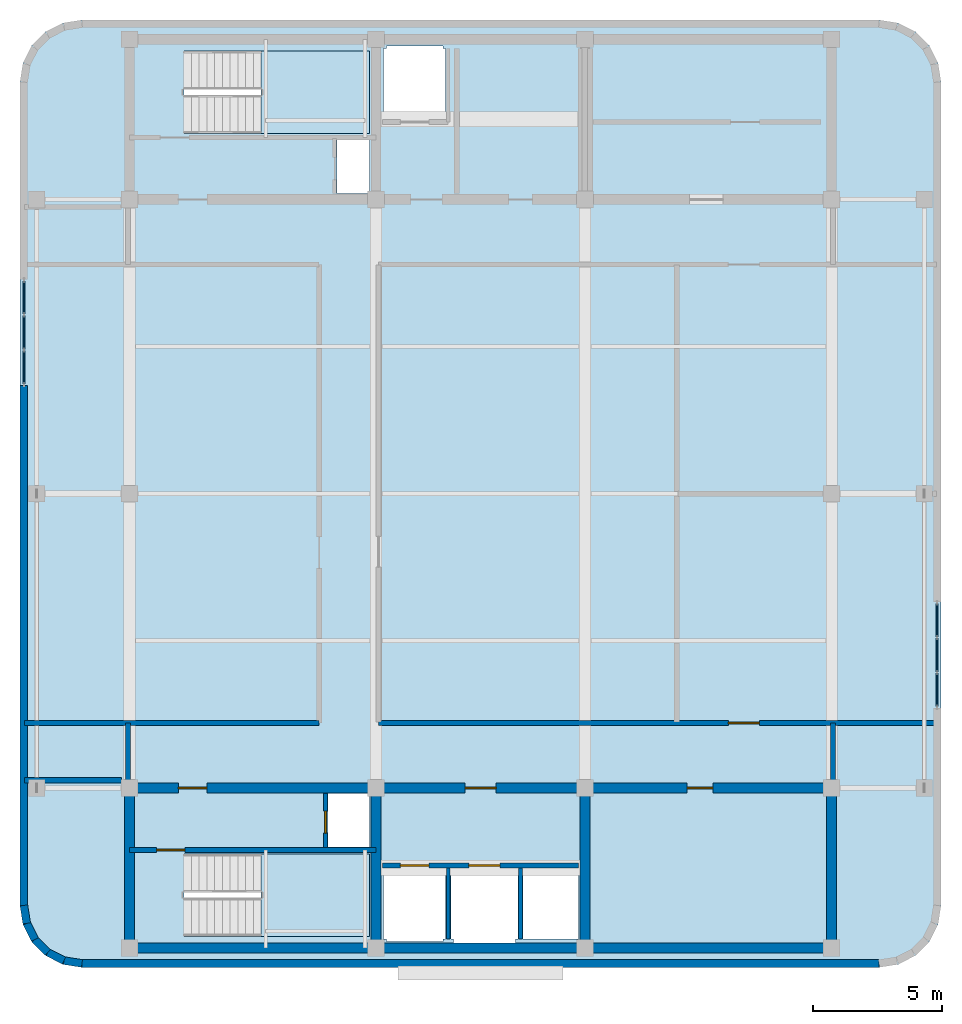
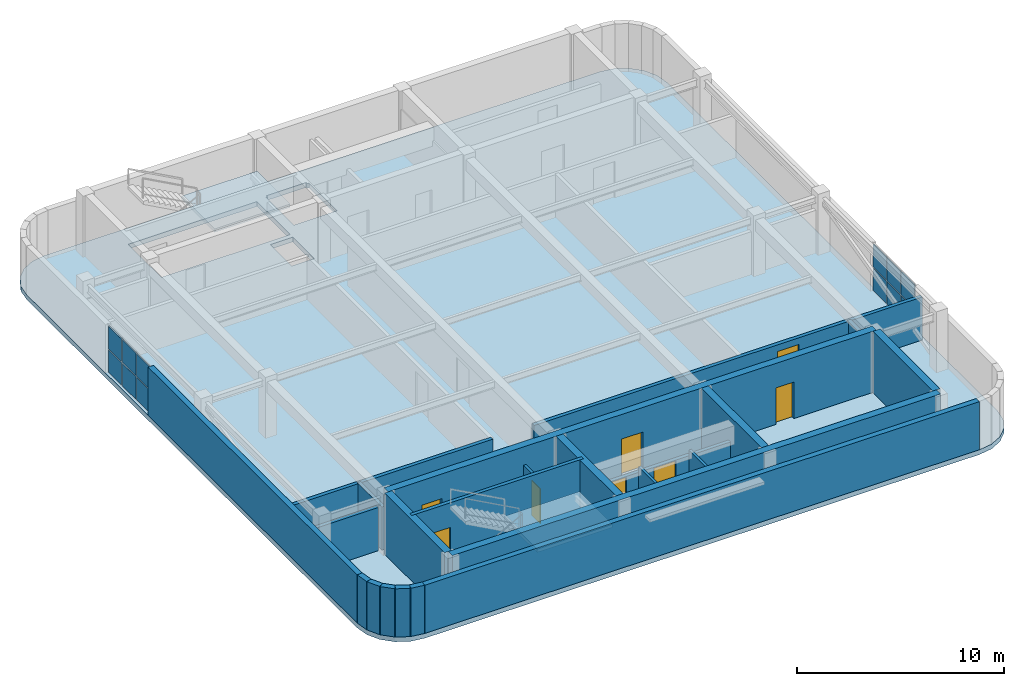
# One storey, part 4 of 9: 23 walls, 12 plates, 8 doors, 3 slabs, 8 openings, 4 elements without a shape of their own.
"""IFC4 building model written with IfcOpenShell, lengths in metres."""

from ifc_helpers import new_model, si_unit, direction, frame, frame_2d, origin, origin_2d, place, context, subcontext, project, spatial, polyline, rectangle, outline, extrude, material, layer, layer_set, type_object, element, fill, aggregate, save


model = new_model("IFC4")

# Units and contexts
model_context = context("Model", 3, precision=1e-05, world=origin(), true_north=direction((0.0, 1.0)))
body_context = subcontext(model_context, "Body", "Model", "MODEL_VIEW")
ifc_project = project(units=[si_unit("LENGTHUNIT", "METRE"), si_unit("AREAUNIT", "SQUARE_METRE"), si_unit("VOLUMEUNIT", "CUBIC_METRE"), si_unit("PLANEANGLEUNIT", "RADIAN"), si_unit("MASSUNIT", "GRAM", prefix="KILO")], contexts=[model_context])

# Site, building, storey
site_placement = place(None, origin())
site = spatial("IfcSite", under=ifc_project, at=site_placement, CompositionType="ELEMENT")
building_placement = place(site_placement, origin())
building = spatial("IfcBuilding", under=site, at=building_placement, Name="Svetorya Sky Lyceum", CompositionType="ELEMENT")
storey_placement = place(building_placement, frame((0.0, 0.0, 305.60009765625)))
storey = spatial("IfcBuildingStorey", under=building, at=storey_placement, Name="C02", CompositionType="ELEMENT", Elevation=305.60009765625)

# Curtain wall, plates
ifc_material_1 = material(Name="Thermally broken anodized aluminium and triple low-E glass", Category="aluminium")
curtain_wall_type = type_object("IfcCurtainWallType", Name="CW5-LVR-PLT", PredefinedType="NOTDEFINED", material=ifc_material_1)
curtain_wall_1_placement = place(storey_placement, origin())
curtain_wall_1 = element("IfcCurtainWall", 1, at=curtain_wall_1_placement, inside=storey, type_object=curtain_wall_type, Name="C02 Acoustic Plant Louvre Curtain Wall 12", PredefinedType="NOTDEFINED")
ifc_material_2 = material(Name="Powder-coated extruded aluminium acoustic louvre blade", Category="aluminium")
ifc_layer_1 = layer(ifc_material_2, 0.06494140625)
ifc_layer_set_1 = layer_set([ifc_layer_1], Name="Powder-coated extruded aluminium acoustic louvre blade")
plate_type = type_object("IfcPlateType", Name="CWP-LVR-65", PredefinedType="SHEET", material=ifc_layer_set_1)
plate_1_placement = place(storey_placement, frame((56.889892578125, 20.599609375, 0.0634765625), z_axis=(0.0, 0.0, 1.0), x_axis=(0.0, 1.0, 0.0)))
plate_1 = element("IfcPlate", 2, at=plate_1_placement, type_object=plate_type, Name="CW-5 panel 1.1", PredefinedType="SHEET", context=body_context, shape_type="SweptSolid", body=[
    extrude(rectangle(XDim=1.272216796875, YDim=0.06494140625, at=origin_2d()), origin(), (0.0, 0.0, 1.0), 1.325439453125),
])
plate_2_placement = place(storey_placement, frame((56.889892578125, 20.599609375, 1.451171875), z_axis=(0.0, 0.0, 1.0), x_axis=(0.0, 1.0, 0.0)))
plate_2 = element("IfcPlate", 3, at=plate_2_placement, type_object=plate_type, Name="CW-5 panel 1.2", PredefinedType="SHEET", context=body_context, shape_type="SweptSolid", body=[
    extrude(rectangle(XDim=1.272216796875, YDim=0.06494140625, at=origin_2d()), origin(), (0.0, 0.0, 1.0), 1.325439453125),
])
plate_3_placement = place(storey_placement, frame((56.889892578125, 21.949951171875, 0.0634765625), z_axis=(0.0, 0.0, 1.0), x_axis=(0.0, 1.0, 0.0)))
plate_3 = element("IfcPlate", 4, at=plate_3_placement, type_object=plate_type, Name="CW-5 panel 2.1", PredefinedType="SHEET", context=body_context, shape_type="SweptSolid", body=[
    extrude(rectangle(XDim=1.3046875, YDim=0.06494140625, at=origin_2d()), origin(), (0.0, 0.0, 1.0), 1.325439453125),
])
plate_4_placement = place(storey_placement, frame((56.889892578125, 21.949951171875, 1.451171875), z_axis=(0.0, 0.0, 1.0), x_axis=(0.0, 1.0, 0.0)))
plate_4 = element("IfcPlate", 5, at=plate_4_placement, type_object=plate_type, Name="CW-5 panel 2.2", PredefinedType="SHEET", context=body_context, shape_type="SweptSolid", body=[
    extrude(rectangle(XDim=1.3046875, YDim=0.06494140625, at=origin_2d()), origin(), (0.0, 0.0, 1.0), 1.325439453125),
])
plate_5_placement = place(storey_placement, frame((56.889892578125, 23.300537109375, 0.0634765625), z_axis=(0.0, 0.0, 1.0), x_axis=(0.0, 1.0, 0.0)))
plate_5 = element("IfcPlate", 6, at=plate_5_placement, type_object=plate_type, Name="CW-5 panel 3.1", PredefinedType="SHEET", context=body_context, shape_type="SweptSolid", body=[
    extrude(rectangle(XDim=1.272216796875, YDim=0.06494140625, at=origin_2d()), origin(), (0.0, 0.0, 1.0), 1.325439453125),
])
plate_6_placement = place(storey_placement, frame((56.889892578125, 23.300537109375, 1.451171875), z_axis=(0.0, 0.0, 1.0), x_axis=(0.0, 1.0, 0.0)))
plate_6 = element("IfcPlate", 7, at=plate_6_placement, type_object=plate_type, Name="CW-5 panel 3.2", PredefinedType="SHEET", context=body_context, shape_type="SweptSolid", body=[
    extrude(rectangle(XDim=1.272216796875, YDim=0.06494140625, at=origin_2d()), origin(), (0.0, 0.0, 1.0), 1.325439453125),
])
aggregate(curtain_wall_1, [plate_1, plate_2, plate_3, plate_4, plate_5, plate_6])

curtain_wall_2_placement = place(storey_placement, origin())
curtain_wall_2 = element("IfcCurtainWall", 8, at=curtain_wall_2_placement, inside=storey, type_object=curtain_wall_type, Name="C02 Acoustic Plant Louvre Curtain Wall 24", PredefinedType="NOTDEFINED")
plate_7_placement = place(storey_placement, frame((21.510009765625, 35.800537109375, 0.0634765625), z_axis=(0.0, 0.0, 1.0), x_axis=(0.0, -1.0, 0.0)))
plate_7 = element("IfcPlate", 9, at=plate_7_placement, type_object=plate_type, Name="CW-5 panel 1.1", PredefinedType="SHEET", context=body_context, shape_type="SweptSolid", body=[
    extrude(rectangle(XDim=1.272216796875, YDim=0.06494140625, at=origin_2d()), origin(), (0.0, 0.0, 1.0), 1.325439453125),
])
plate_8_placement = place(storey_placement, frame((21.510009765625, 35.800537109375, 1.451171875), z_axis=(0.0, 0.0, 1.0), x_axis=(0.0, -1.0, 0.0)))
plate_8 = element("IfcPlate", 10, at=plate_8_placement, type_object=plate_type, Name="CW-5 panel 1.2", PredefinedType="SHEET", context=body_context, shape_type="SweptSolid", body=[
    extrude(rectangle(XDim=1.272216796875, YDim=0.06494140625, at=origin_2d()), origin(), (0.0, 0.0, 1.0), 1.325439453125),
])
plate_9_placement = place(storey_placement, frame((21.510009765625, 34.449951171875, 0.0634765625), z_axis=(0.0, 0.0, 1.0), x_axis=(0.0, -1.0, 0.0)))
plate_9 = element("IfcPlate", 11, at=plate_9_placement, type_object=plate_type, Name="CW-5 panel 2.1", PredefinedType="SHEET", context=body_context, shape_type="SweptSolid", body=[
    extrude(rectangle(XDim=1.3046875, YDim=0.06494140625, at=origin_2d()), origin(), (0.0, 0.0, 1.0), 1.325439453125),
])
plate_10_placement = place(storey_placement, frame((21.510009765625, 34.449951171875, 1.451171875), z_axis=(0.0, 0.0, 1.0), x_axis=(0.0, -1.0, 0.0)))
plate_10 = element("IfcPlate", 12, at=plate_10_placement, type_object=plate_type, Name="CW-5 panel 2.2", PredefinedType="SHEET", context=body_context, shape_type="SweptSolid", body=[
    extrude(rectangle(XDim=1.3046875, YDim=0.06494140625, at=origin_2d()), origin(), (0.0, 0.0, 1.0), 1.325439453125),
])
plate_11_placement = place(storey_placement, frame((21.510009765625, 33.099609375, 0.0634765625), z_axis=(0.0, 0.0, 1.0), x_axis=(0.0, -1.0, 0.0)))
plate_11 = element("IfcPlate", 13, at=plate_11_placement, type_object=plate_type, Name="CW-5 panel 3.1", PredefinedType="SHEET", context=body_context, shape_type="SweptSolid", body=[
    extrude(rectangle(XDim=1.272216796875, YDim=0.06494140625, at=origin_2d()), origin(), (0.0, 0.0, 1.0), 1.325439453125),
])
plate_12_placement = place(storey_placement, frame((21.510009765625, 33.099609375, 1.451171875), z_axis=(0.0, 0.0, 1.0), x_axis=(0.0, -1.0, 0.0)))
plate_12 = element("IfcPlate", 14, at=plate_12_placement, type_object=plate_type, Name="CW-5 panel 3.2", PredefinedType="SHEET", context=body_context, shape_type="SweptSolid", body=[
    extrude(rectangle(XDim=1.272216796875, YDim=0.06494140625, at=origin_2d()), origin(), (0.0, 0.0, 1.0), 1.325439453125),
])
aggregate(curtain_wall_2, [plate_7, plate_8, plate_9, plate_10, plate_11, plate_12])

# Stair, slab
ifc_material_3 = material(Name="Concrete C40/50", Category="concrete")
stair_type_1 = type_object("IfcStairType", Name="STR-ST-S", PredefinedType="HALF_TURN_STAIR", material=ifc_material_3)
stair_1_placement = place(storey_placement, origin())
stair_1 = element("IfcStair", 15, at=stair_1_placement, inside=storey, type_object=stair_type_1, Name="C02 South Core Smoke-Free Exit Stair N2", PredefinedType="HALF_TURN_STAIR")
ifc_layer_2 = layer(ifc_material_3, 0.199951171875)
ifc_layer_set_2 = layer_set([ifc_layer_2], Name="Concrete C40/50")
slab_type_1 = type_object("IfcSlabType", Name="SL-STR-LAND-200", PredefinedType="LANDING", material=ifc_layer_set_2)
slab_1_placement = place(storey_placement, frame((0.0, 0.0, 1.599853515625)))
slab_1 = element("IfcSlab", 16, at=slab_1_placement, type_object=slab_type_1, Name="ST-S landing 1", PredefinedType="LANDING", context=body_context, shape_type="SweptSolid", body=[
    extrude(outline(polyline([(30.699951171875, 11.050048828125), (34.89990234375, 11.050048828125), (34.89990234375, 14.25), (30.699951171875, 14.25), (30.699951171875, 11.050048828125)])), origin(), (0.0, 0.0, 1.0), 0.199951171875),
])
aggregate(stair_1, [slab_1])

stair_type_2 = type_object("IfcStairType", Name="STR-ST-N", PredefinedType="HALF_TURN_STAIR", material=ifc_material_3)
stair_2_placement = place(storey_placement, origin())
stair_2 = element("IfcStair", 17, at=stair_2_placement, inside=storey, type_object=stair_type_2, Name="C02 North Core Smoke-Free Exit Stair N3", PredefinedType="HALF_TURN_STAIR")
slab_2_placement = place(storey_placement, frame((0.0, 0.0, 1.599853515625)))
slab_2 = element("IfcSlab", 18, at=slab_2_placement, type_object=slab_type_1, Name="ST-N landing 1", PredefinedType="LANDING", context=body_context, shape_type="SweptSolid", body=[
    extrude(outline(polyline([(30.699951171875, 42.14990234375), (34.89990234375, 42.14990234375), (34.89990234375, 45.35009765625), (30.699951171875, 45.35009765625), (30.699951171875, 42.14990234375)])), origin(), (0.0, 0.0, 1.0), 0.199951171875),
])
aggregate(stair_2, [slab_2])

# Slab
ifc_material_4 = material(Name="Concrete C50/60", Category="concrete")
ifc_layer_3 = layer(ifc_material_4, 0.280029296875)
ifc_layer_set_3 = layer_set([ifc_layer_3], Name="Concrete C50/60")
slab_type_2 = type_object("IfcSlabType", Name="SL-TWR-280", PredefinedType="FLOOR", material=ifc_layer_set_3)
slab_3_placement = place(storey_placement, frame((0.0, 0.0, -0.280029296875)))
element("IfcSlab", 19, at=slab_3_placement, inside=storey, type_object=slab_type_2, Name="C02 Structural Floor Slab", PredefinedType="FLOOR", context=body_context, shape_type="SweptSolid", body=[
    extrude(outline(polyline([(21.360107421875, 12.25), (21.4775390625, 11.50830078125), (21.818359375, 10.83935546875), (22.349365234375, 10.308349609375), (23.018310546875, 9.967529296875), (23.760009765625, 9.85009765625), (54.639892578125, 9.85009765625), (55.381591796875, 9.967529296875), (56.05078125, 10.308349609375), (56.58154296875, 10.83935546875), (56.922607421875, 11.50830078125), (57.0400390625, 12.25), (57.0400390625, 44.14990234375), (56.922607421875, 44.8916015625), (56.58154296875, 45.560791015625), (56.05078125, 46.091552734375), (55.381591796875, 46.4326171875), (54.639892578125, 46.550048828125), (23.760009765625, 46.550048828125), (23.018310546875, 46.4326171875), (22.349365234375, 46.091552734375), (21.818359375, 45.560791015625), (21.4775390625, 44.8916015625), (21.360107421875, 44.14990234375), (21.360107421875, 12.25)]), holes=[polyline([(37.75, 10.85009765625), (35.550048828125, 10.85009765625), (35.550048828125, 10.949951171875), (35.449951171875, 10.949951171875), (35.449951171875, 13.64990234375), (35.550048828125, 13.64990234375), (37.75, 13.64990234375), (37.85009765625, 13.64990234375), (37.85009765625, 10.949951171875), (37.75, 10.949951171875), (37.75, 10.85009765625)]), polyline([(34.89990234375, 11.050048828125), (27.719970703125, 11.050048828125), (27.719970703125, 14.25), (34.89990234375, 14.25), (34.89990234375, 11.050048828125)]), polyline([(34.89990234375, 14.52001953125), (33.300048828125, 14.52001953125), (33.300048828125, 16.580078125), (34.89990234375, 16.580078125), (34.89990234375, 14.52001953125)]), polyline([(33.64990234375, 39.820068359375), (33.64990234375, 41.89990234375), (34.89990234375, 41.89990234375), (34.89990234375, 39.820068359375), (33.64990234375, 39.820068359375)]), polyline([(27.719970703125, 42.14990234375), (27.719970703125, 45.35009765625), (34.89990234375, 45.35009765625), (34.89990234375, 42.14990234375), (27.719970703125, 42.14990234375)]), polyline([(37.75, 45.449951171875), (37.85009765625, 45.449951171875), (37.85009765625, 42.75), (37.75, 42.75), (35.550048828125, 42.75), (35.449951171875, 42.75), (35.449951171875, 45.449951171875), (35.550048828125, 45.449951171875), (35.550048828125, 45.550048828125), (37.75, 45.550048828125), (37.75, 45.449951171875)]), polyline([(40.64990234375, 13.64990234375), (40.64990234375, 10.949951171875), (40.550048828125, 10.949951171875), (40.550048828125, 10.800048828125), (38.14990234375, 10.800048828125), (38.14990234375, 10.949951171875), (38.050048828125, 10.949951171875), (38.050048828125, 13.64990234375), (38.14990234375, 13.64990234375), (38.14990234375, 13.699951171875), (40.550048828125, 13.699951171875), (40.550048828125, 13.64990234375), (40.64990234375, 13.64990234375)]), polyline([(40.85009765625, 10.949951171875), (40.85009765625, 13.64990234375), (43.0, 13.64990234375), (43.0, 10.949951171875), (40.85009765625, 10.949951171875)])]), origin(), (0.0, 0.0, 1.0), 0.280029296875),
])

# Walls
ifc_layer_4 = layer(ifc_material_3, 0.39990234375)
ifc_layer_set_4 = layer_set([ifc_layer_4], Name="Concrete C40/50")
wall_type_1 = type_object("IfcWallType", Name="WL-CORE-400", PredefinedType="SHEAR", material=ifc_layer_set_4)
wall_1_placement = place(storey_placement, frame((52.800048828125, 10.60009765625, 0.0), z_axis=(0.0, 0.0, 1.0), x_axis=(-1.0, 0.0, 0.0)))
element("IfcWall", 20, at=wall_1_placement, inside=storey, type_object=wall_type_1, Name="C02 SC Outer Core Shear Wall", PredefinedType="SHEAR", context=body_context, shape_type="SweptSolid", body=[
    extrude(rectangle(XDim=27.199951171875, YDim=0.39990234375, at=frame_2d((13.60009765625, 0.0))), origin(), (0.0, 0.0, 1.0), 3.599853515625),
])
for number, where, z_axis, x_axis, name in (
    (21, (25.60009765625, 10.800048828125, 0.0), (0.0, 0.0, 1.0), (0.0, 1.0, 0.0), "C02 SC West Core Shear Wall"),
    (22, (52.800048828125, 10.800048828125, 0.0), (0.0, 0.0, 1.0), (0.0, 1.0, 0.0), "C02 SC East Core Shear Wall"),
):
    element("IfcWall", number, at=place(storey_placement, frame(where, z_axis=z_axis, x_axis=x_axis)), inside=storey, type_object=wall_type_1, Name=name, PredefinedType="SHEAR", context=body_context, shape_type="SweptSolid", body=[
        extrude(rectangle(XDim=5.800048828125, YDim=0.39990234375, at=frame_2d((2.89990234375, 0.0))), origin(), (0.0, 0.0, 1.0), 3.599853515625),
    ])

# Wall, openings, doors
wall_2_placement = place(storey_placement, frame((25.60009765625, 16.800048828125, 0.0), z_axis=(0.0, 0.0, 1.0), x_axis=(1.0, 0.0, 0.0)))
wall_2 = element("IfcWall", 23, at=wall_2_placement, inside=storey, type_object=wall_type_1, Name="C02 SC Inner Core Shear Wall", PredefinedType="SHEAR", context=body_context, shape_type="SweptSolid", body=[
    extrude(rectangle(XDim=27.199951171875, YDim=0.39990234375, at=frame_2d((13.60009765625, 0.0))), origin(), (0.0, 0.0, 1.0), 3.599853515625),
])
opening_1_placement = place(wall_2_placement, frame((1.89990234375, 0.0, 0.0)))
opening_1 = element("IfcOpeningElement", 24, at=opening_1_placement, cuts=wall_2, Name="Opening D-ST1", PredefinedType="OPENING", context=body_context, shape_type="SweptSolid", body=[
    extrude(rectangle(XDim=1.10009765625, YDim=2.14990234375, at=frame_2d((0.550048828125, 1.074951171875))), frame((0.0, 0.2099609375, 0.0), z_axis=(0.0, -1.0, 0.0), x_axis=(1.0, 0.0, 0.0)), (0.0, 0.0, 1.0), 0.419921875),
])
opening_2_placement = place(wall_2_placement, frame((13.0, 0.0, 0.0)))
opening_2 = element("IfcOpeningElement", 25, at=opening_2_placement, cuts=wall_2, Name="Opening D-FL1", PredefinedType="OPENING", context=body_context, shape_type="SweptSolid", body=[
    extrude(rectangle(XDim=1.199951171875, YDim=2.14990234375, at=frame_2d((0.60009765625, 1.074951171875))), frame((0.0, 0.2099609375, 0.0), z_axis=(0.0, -1.0, 0.0), x_axis=(1.0, 0.0, 0.0)), (0.0, 0.0, 1.0), 0.419921875),
])
opening_3_placement = place(wall_2_placement, frame((21.60009765625, 0.0, 0.0)))
opening_3 = element("IfcOpeningElement", 26, at=opening_3_placement, cuts=wall_2, Name="Opening D-RM2", PredefinedType="OPENING", context=body_context, shape_type="SweptSolid", body=[
    extrude(rectangle(XDim=1.0, YDim=2.14990234375, at=frame_2d((0.5, 1.074951171875))), frame((0.0, 0.2099609375, 0.0), z_axis=(0.0, -1.0, 0.0), x_axis=(1.0, 0.0, 0.0)), (0.0, 0.0, 1.0), 0.419921875),
])
ifc_material_5 = material(Name="Powder-coated insulated galvanized stair fire door")
door_type_1 = type_object("IfcDoorType", Name="DR-FIRE-1100", OperationType="SINGLE_SWING_LEFT", PredefinedType="DOOR", material=ifc_material_5)
door_1_placement = place(opening_1_placement, origin())
door_1 = element("IfcDoor", 27, at=door_1_placement, inside=storey, type_object=door_type_1, Name="C02 South Stair Airlock Door", OperationType="SINGLE_SWING_RIGHT", OverallHeight=2.14990234375, OverallWidth=1.10009765625, PredefinedType="DOOR", context=body_context, shape_type="SweptSolid", body=[
    extrude(rectangle(XDim=1.10009765625, YDim=2.14990234375, at=frame_2d((0.550048828125, 1.074951171875))), frame((0.0, 0.02490234375, 0.0), z_axis=(0.0, -1.0, 0.0), x_axis=(1.0, 0.0, 0.0)), (0.0, 0.0, 1.0), 0.050048828125),
])
fill(opening_1, door_1)
ifc_material_6 = material(Name="Powder-coated insulated galvanized fire door")
door_type_2 = type_object("IfcDoorType", Name="DR-FIRE-1200", OperationType="SINGLE_SWING_LEFT", PredefinedType="DOOR", material=ifc_material_6)
door_2_placement = place(opening_2_placement, origin())
door_2 = element("IfcDoor", 28, at=door_2_placement, inside=storey, type_object=door_type_2, Name="C02 South Firefighting Lift Lobby Door", OperationType="SINGLE_SWING_LEFT", OverallHeight=2.14990234375, OverallWidth=1.199951171875, PredefinedType="DOOR", context=body_context, shape_type="SweptSolid", body=[
    extrude(rectangle(XDim=1.199951171875, YDim=2.14990234375, at=frame_2d((0.60009765625, 1.074951171875))), frame((0.0, 0.02490234375, 0.0), z_axis=(0.0, -1.0, 0.0), x_axis=(1.0, 0.0, 0.0)), (0.0, 0.0, 1.0), 0.050048828125),
])
fill(opening_2, door_2)
ifc_material_7 = material(Name="Solid-core oak acoustic room door")
door_type_3 = type_object("IfcDoorType", Name="DR-INT-1000", OperationType="SINGLE_SWING_LEFT", PredefinedType="DOOR", material=ifc_material_7)
door_3_placement = place(opening_3_placement, origin())
door_3 = element("IfcDoor", 29, at=door_3_placement, inside=storey, type_object=door_type_3, Name="C02 Trunk Store Door", OperationType="SINGLE_SWING_LEFT", OverallHeight=2.14990234375, OverallWidth=1.0, PredefinedType="DOOR", context=body_context, shape_type="SweptSolid", body=[
    extrude(rectangle(XDim=1.0, YDim=2.14990234375, at=frame_2d((0.5, 1.074951171875))), frame((0.0, 0.02490234375, 0.0), z_axis=(0.0, -1.0, 0.0), x_axis=(1.0, 0.0, 0.0)), (0.0, 0.0, 1.0), 0.050048828125),
])
fill(opening_3, door_3)

# Walls
for number, where, z_axis, x_axis, name in (
    (30, (35.14990234375, 10.800048828125, 0.0), (0.0, 0.0, 1.0), (0.0, 1.0, 0.0), "C02 SC Internal Shear Web WEB1"),
    (31, (43.25, 10.800048828125, 0.0), (0.0, 0.0, 1.0), (0.0, 1.0, 0.0), "C02 SC Internal Shear Web WEB2"),
):
    element("IfcWall", number, at=place(storey_placement, frame(where, z_axis=z_axis, x_axis=x_axis)), inside=storey, type_object=wall_type_1, Name=name, PredefinedType="SHEAR", context=body_context, shape_type="SweptSolid", body=[
        extrude(rectangle(XDim=5.800048828125, YDim=0.39990234375, at=frame_2d((2.89990234375, 0.0))), origin(), (0.0, 0.0, 1.0), 3.599853515625),
    ])
ifc_material_8 = material(Name="Putilovo limestone rainscreen on autoclaved cellular masonry", Category="masonry")
ifc_layer_5 = layer(ifc_material_8, 0.300048828125)
ifc_layer_set_5 = layer_set([ifc_layer_5], Name="Putilovo limestone rainscreen on autoclaved cellular masonry")
wall_type_2 = type_object("IfcWallType", Name="WL-EXT-300", PredefinedType="SOLIDWALL", material=ifc_layer_set_5)
for number, where, z_axis, x_axis, name in (
    (32, (21.510009765625, 12.25, 0.0), (0.0, 0.0, 1.0), (0.156407776626, -0.987692567255, 0.0), "C02 Limestone Exterior Wall 1M"),
    (33, (21.6201171875, 11.5546875, 0.0), (0.0, 0.0, 1.0), (0.453998517824, -0.891002438725, 0.0), "C02 Limestone Exterior Wall 2M"),
):
    element("IfcWall", number, at=place(storey_placement, frame(where, z_axis=z_axis, x_axis=x_axis)), inside=storey, type_object=wall_type_2, Name=name, PredefinedType="SOLIDWALL", context=body_context, shape_type="SweptSolid", body=[
        extrude(rectangle(XDim=0.703857421875, YDim=0.300048828125, at=frame_2d((0.35205078125, 0.0))), origin(), (0.0, 0.0, 1.0), 2.83984375),
    ])
wall_3_placement = place(storey_placement, frame((21.939697265625, 10.927490234375, 0.0), z_axis=(0.0, 0.0, 1.0), x_axis=(0.707106781187, -0.707106781187, 0.0)))
element("IfcWall", 34, at=wall_3_placement, inside=storey, type_object=wall_type_2, Name="C02 Limestone Exterior Wall 3M", PredefinedType="SOLIDWALL", context=body_context, shape_type="SweptSolid", body=[
    extrude(rectangle(XDim=0.7041015625, YDim=0.300048828125, at=frame_2d((0.35205078125, 0.0))), origin(), (0.0, 0.0, 1.0), 2.83984375),
])
for number, where, z_axis, x_axis, name in (
    (35, (22.4375, 10.4296875, 0.0), (0.0, 0.0, 1.0), (0.891002438725, -0.453998517824, 0.0), "C02 Limestone Exterior Wall 4M"),
    (36, (23.064697265625, 10.110107421875, 0.0), (0.0, 0.0, 1.0), (0.987692567255, -0.156407776626, 0.0), "C02 Limestone Exterior Wall 5M"),
):
    element("IfcWall", number, at=place(storey_placement, frame(where, z_axis=z_axis, x_axis=x_axis)), inside=storey, type_object=wall_type_2, Name=name, PredefinedType="SOLIDWALL", context=body_context, shape_type="SweptSolid", body=[
        extrude(rectangle(XDim=0.703857421875, YDim=0.300048828125, at=frame_2d((0.35205078125, 0.0))), origin(), (0.0, 0.0, 1.0), 2.83984375),
    ])
wall_4_placement = place(storey_placement, frame((23.760009765625, 10.0, 0.0), z_axis=(0.0, 0.0, 1.0), x_axis=(1.0, 0.0, 0.0)))
element("IfcWall", 37, at=wall_4_placement, inside=storey, type_object=wall_type_2, Name="C02 Limestone Exterior Wall 6M", PredefinedType="SOLIDWALL", context=body_context, shape_type="SweptSolid", body=[
    extrude(rectangle(XDim=30.8798828125, YDim=0.300048828125, at=frame_2d((15.43994140625, 0.0))), origin(), (0.0, 0.0, 1.0), 2.83984375),
])
wall_5_placement = place(storey_placement, frame((21.510009765625, 32.39990234375, 0.0), z_axis=(0.0, 0.0, 1.0), x_axis=(0.0, -1.0, 0.0)))
element("IfcWall", 38, at=wall_5_placement, inside=storey, type_object=wall_type_2, Name="C02 Limestone Exterior Wall 24B", PredefinedType="SOLIDWALL", context=body_context, shape_type="SweptSolid", body=[
    extrude(rectangle(XDim=20.14990234375, YDim=0.300048828125, at=frame_2d((10.074951171875, 0.0))), origin(), (0.0, 0.0, 1.0), 2.83984375),
])

# Wall, opening, door
ifc_material_9 = material(Name="Autoclaved cellular masonry blockwork with acoustic render", Category="masonry")
ifc_layer_6 = layer(ifc_material_9, 0.14990234375)
ifc_layer_set_6 = layer_set([ifc_layer_6], Name="Autoclaved cellular masonry blockwork with acoustic render")
wall_type_3 = type_object("IfcWallType", Name="WL-PART-150", PredefinedType="PARTITIONING", material=ifc_layer_set_6)
wall_6_placement = place(storey_placement, frame((33.199951171875, 14.5, 0.0), z_axis=(0.0, 0.0, 1.0), x_axis=(0.0, 1.0, 0.0)))
wall_6 = element("IfcWall", 39, at=wall_6_placement, inside=storey, type_object=wall_type_3, Name="C02 Interior Partition SC-AIRDIV", PredefinedType="PARTITIONING", context=body_context, shape_type="SweptSolid", body=[
    extrude(rectangle(XDim=2.080078125, YDim=0.14990234375, at=frame_2d((1.0400390625, 0.0))), origin(), (0.0, 0.0, 1.0), 2.539794921875),
])
opening_4_placement = place(wall_6_placement, frame((0.550048828125, 0.0, 0.0)))
opening_4 = element("IfcOpeningElement", 40, at=opening_4_placement, cuts=wall_6, Name="Opening D-SH1", PredefinedType="OPENING", context=body_context, shape_type="SweptSolid", body=[
    extrude(rectangle(XDim=0.85009765625, YDim=2.050048828125, at=frame_2d((0.425048828125, 1.02490234375))), frame((0.0, 0.0849609375, 0.0), z_axis=(0.0, -1.0, 0.0), x_axis=(1.0, 0.0, 0.0)), (0.0, 0.0, 1.0), 0.169921875),
])
ifc_material_10 = material(Name="Insulated galvanized riser inspection fire door")
door_type_4 = type_object("IfcDoorType", Name="DR-SHFT-850", OperationType="SINGLE_SWING_LEFT", PredefinedType="TRAPDOOR", material=ifc_material_10)
door_4_placement = place(opening_4_placement, origin())
door_4 = element("IfcDoor", 41, at=door_4_placement, inside=storey, type_object=door_type_4, Name="C02 South Riser Access Door", OperationType="SINGLE_SWING_RIGHT", OverallHeight=2.050048828125, OverallWidth=0.85009765625, PredefinedType="TRAPDOOR", context=body_context, shape_type="SweptSolid", body=[
    extrude(rectangle(XDim=0.85009765625, YDim=2.050048828125, at=frame_2d((0.425048828125, 1.02490234375))), frame((0.0, 0.02490234375, 0.0), z_axis=(0.0, -1.0, 0.0), x_axis=(1.0, 0.0, 0.0)), (0.0, 0.0, 1.0), 0.050048828125),
])
fill(opening_4, door_4)

# Walls
for number, where, z_axis, x_axis, name in (
    (42, (37.949951171875, 10.949951171875, 0.0), (0.0, 0.0, 1.0), (0.0, 1.0, 0.0), "C02 Interior Partition SC-SHD1"),
    (43, (40.75, 10.949951171875, 0.0), (0.0, 0.0, 1.0), (0.0, 1.0, 0.0), "C02 Interior Partition SC-SHD2"),
):
    element("IfcWall", number, at=place(storey_placement, frame(where, z_axis=z_axis, x_axis=x_axis)), inside=storey, type_object=wall_type_3, Name=name, PredefinedType="PARTITIONING", context=body_context, shape_type="SweptSolid", body=[
        extrude(rectangle(XDim=2.75, YDim=0.14990234375, at=frame_2d((1.375, 0.0))), origin(), (0.0, 0.0, 1.0), 2.539794921875),
    ])

# Wall, openings, doors
ifc_material_11 = material(Name="Autoclaved cellular masonry blockwork with gypsum plaster", Category="masonry")
ifc_layer_7 = layer(ifc_material_11, 0.199951171875)
ifc_layer_set_7 = layer_set([ifc_layer_7], Name="Autoclaved cellular masonry blockwork with gypsum plaster")
wall_type_4 = type_object("IfcWallType", Name="WL-PART-200", PredefinedType="PARTITIONING", material=ifc_layer_set_7)
wall_7_placement = place(storey_placement, frame((35.39990234375, 13.800048828125, 0.0), z_axis=(0.0, 0.0, 1.0), x_axis=(1.0, 0.0, 0.0)))
wall_7 = element("IfcWall", 44, at=wall_7_placement, inside=storey, type_object=wall_type_4, Name="C02 Interior Partition SC-FLW", PredefinedType="PARTITIONING", context=body_context, shape_type="SweptSolid", body=[
    extrude(rectangle(XDim=7.60009765625, YDim=0.199951171875, at=frame_2d((3.800048828125, 0.0))), origin(), (0.0, 0.0, 1.0), 2.199951171875),
])
opening_5_placement = place(wall_7_placement, frame((0.699951171875, 0.0, 0.0)))
opening_5 = element("IfcOpeningElement", 45, at=opening_5_placement, cuts=wall_7, Name="Opening LD-FL", PredefinedType="OPENING", context=body_context, shape_type="SweptSolid", body=[
    extrude(rectangle(XDim=1.10009765625, YDim=2.14990234375, at=frame_2d((0.550048828125, 1.074951171875))), frame((0.0, 0.10986328125, 0.0), z_axis=(0.0, -1.0, 0.0), x_axis=(1.0, 0.0, 0.0)), (0.0, 0.0, 1.0), 0.219970703125),
])
opening_6_placement = place(wall_7_placement, frame((3.35009765625, 0.0, 0.0)))
opening_6 = element("IfcOpeningElement", 46, at=opening_6_placement, cuts=wall_7, Name="Opening LD-SV", PredefinedType="OPENING", context=body_context, shape_type="SweptSolid", body=[
    extrude(rectangle(XDim=1.199951171875, YDim=2.14990234375, at=frame_2d((0.60009765625, 1.074951171875))), frame((0.0, 0.10986328125, 0.0), z_axis=(0.0, -1.0, 0.0), x_axis=(1.0, 0.0, 0.0)), (0.0, 0.0, 1.0), 0.219970703125),
])
ifc_material_12 = material(Name="Fire-rated stainless AISI 304 firefighting lift landing door")
door_type_5 = type_object("IfcDoorType", Name="DR-LIFT-1100", OperationType="SLIDING_TO_LEFT", PredefinedType="DOOR", material=ifc_material_12)
door_5_placement = place(opening_5_placement, origin())
door_5 = element("IfcDoor", 47, at=door_5_placement, inside=storey, type_object=door_type_5, Name="C02 Firefighting Lift FL2 Landing Door", OperationType="SLIDING_TO_LEFT", OverallHeight=2.14990234375, OverallWidth=1.10009765625, PredefinedType="DOOR", context=body_context, shape_type="SweptSolid", body=[
    extrude(rectangle(XDim=1.10009765625, YDim=2.14990234375, at=frame_2d((0.550048828125, 1.074951171875))), frame((0.0, 0.02490234375, 0.0), z_axis=(0.0, -1.0, 0.0), x_axis=(1.0, 0.0, 0.0)), (0.0, 0.0, 1.0), 0.050048828125),
])
fill(opening_5, door_5)
ifc_material_13 = material(Name="Brushed stainless AISI 304 telescopic lift landing door")
door_type_6 = type_object("IfcDoorType", Name="DR-LIFT-1200", OperationType="SLIDING_TO_LEFT", PredefinedType="DOOR", material=ifc_material_13)
door_6_placement = place(opening_6_placement, origin())
door_6 = element("IfcDoor", 48, at=door_6_placement, inside=storey, type_object=door_type_6, Name="C02 Service Lift SVL1 Landing Door", OperationType="SLIDING_TO_LEFT", OverallHeight=2.14990234375, OverallWidth=1.199951171875, PredefinedType="DOOR", context=body_context, shape_type="SweptSolid", body=[
    extrude(rectangle(XDim=1.199951171875, YDim=2.14990234375, at=frame_2d((0.60009765625, 1.074951171875))), frame((0.0, 0.02490234375, 0.0), z_axis=(0.0, -1.0, 0.0), x_axis=(1.0, 0.0, 0.0)), (0.0, 0.0, 1.0), 0.050048828125),
])
fill(opening_6, door_6)

# Wall
wall_8_placement = place(storey_placement, frame((21.530029296875, 19.320068359375, 0.0), z_axis=(0.0, 0.0, 1.0), x_axis=(1.0, 0.0, 0.0)))
element("IfcWall", 49, at=wall_8_placement, inside=storey, type_object=wall_type_4, Name="C02 Interior Partition PL-SW", PredefinedType="PARTITIONING", context=body_context, shape_type="SweptSolid", body=[
    extrude(rectangle(XDim=11.419921875, YDim=0.199951171875, at=frame_2d((5.7099609375, 0.0))), origin(), (0.0, 0.0, 1.0), 2.539794921875),
])

# Wall, opening, door
wall_9_placement = place(storey_placement, frame((35.25, 19.320068359375, 0.0), z_axis=(0.0, 0.0, 1.0), x_axis=(1.0, 0.0, 0.0)))
wall_9 = element("IfcWall", 50, at=wall_9_placement, inside=storey, type_object=wall_type_4, Name="C02 Interior Partition PL-S", PredefinedType="PARTITIONING", context=body_context, shape_type="SweptSolid", body=[
    extrude(rectangle(XDim=21.6201171875, YDim=0.199951171875, at=frame_2d((10.81005859375, 0.0))), origin(), (0.0, 0.0, 1.0), 2.539794921875),
])
opening_7_placement = place(wall_9_placement, frame((13.550048828125, 0.0, 0.0)))
opening_7 = element("IfcOpeningElement", 51, at=opening_7_placement, cuts=wall_9, Name="Opening D-FL1", PredefinedType="OPENING", context=body_context, shape_type="SweptSolid", body=[
    extrude(rectangle(XDim=1.199951171875, YDim=2.14990234375, at=frame_2d((0.60009765625, 1.074951171875))), frame((0.0, 0.10986328125, 0.0), z_axis=(0.0, -1.0, 0.0), x_axis=(1.0, 0.0, 0.0)), (0.0, 0.0, 1.0), 0.219970703125),
])
door_7_placement = place(opening_7_placement, origin())
door_7 = element("IfcDoor", 52, at=door_7_placement, inside=storey, type_object=door_type_2, Name="C02 South-East Plant Door", OperationType="SINGLE_SWING_LEFT", OverallHeight=2.14990234375, OverallWidth=1.199951171875, PredefinedType="DOOR", context=body_context, shape_type="SweptSolid", body=[
    extrude(rectangle(XDim=1.199951171875, YDim=2.14990234375, at=frame_2d((0.60009765625, 1.074951171875))), frame((0.0, 0.02490234375, 0.0), z_axis=(0.0, -1.0, 0.0), x_axis=(1.0, 0.0, 0.0)), (0.0, 0.0, 1.0), 0.050048828125),
])
fill(opening_7, door_7)

# Walls
for number, where, z_axis, x_axis, name in (
    (53, (52.85009765625, 16.949951171875, 0.0), (0.0, 0.0, 1.0), (0.0, 1.0, 0.0), "C02 Interior Partition PL-SE-END"),
    (54, (25.550048828125, 16.949951171875, 0.0), (0.0, 0.0, 1.0), (0.0, 1.0, 0.0), "C02 Interior Partition PL-SW-END"),
):
    element("IfcWall", number, at=place(storey_placement, frame(where, z_axis=z_axis, x_axis=x_axis)), inside=storey, type_object=wall_type_4, Name=name, PredefinedType="PARTITIONING", context=body_context, shape_type="SweptSolid", body=[
        extrude(rectangle(XDim=2.3701171875, YDim=0.199951171875, at=frame_2d((1.18505859375, 0.0))), origin(), (0.0, 0.0, 1.0), 2.539794921875),
    ])
wall_10_placement = place(storey_placement, frame((21.530029296875, 17.10009765625, 0.0), z_axis=(0.0, 0.0, 1.0), x_axis=(1.0, 0.0, 0.0)))
element("IfcWall", 55, at=wall_10_placement, inside=storey, type_object=wall_type_4, Name="C02 Interior Partition PL-WS-CAP", PredefinedType="PARTITIONING", context=body_context, shape_type="SweptSolid", body=[
    extrude(rectangle(XDim=3.77001953125, YDim=0.199951171875, at=frame_2d((1.885009765625, 0.0))), origin(), (0.0, 0.0, 1.0), 2.539794921875),
])

# Wall, opening, door
ifc_layer_8 = layer(ifc_material_4, 0.199951171875)
ifc_layer_set_8 = layer_set([ifc_layer_8], Name="Concrete C50/60")
wall_type_5 = type_object("IfcWallType", Name="WL-SHW-200", PredefinedType="SHEAR", material=ifc_layer_set_8)
wall_11_placement = place(storey_placement, frame((25.60009765625, 14.39990234375, 0.0), z_axis=(0.0, 0.0, 1.0), x_axis=(1.0, 0.0, 0.0)))
wall_11 = element("IfcWall", 56, at=wall_11_placement, inside=storey, type_object=wall_type_5, Name="C02 Structural Stair Shaft Wall SC-STW", PredefinedType="SHEAR", context=body_context, shape_type="SweptSolid", body=[
    extrude(rectangle(XDim=9.5498046875, YDim=0.199951171875, at=frame_2d((4.77490234375, 0.0))), origin(), (0.0, 0.0, 1.0), 3.599853515625),
])
opening_8_placement = place(wall_11_placement, frame((1.050048828125, 0.0, 0.0)))
opening_8 = element("IfcOpeningElement", 57, at=opening_8_placement, cuts=wall_11, Name="Opening D-ST1", PredefinedType="OPENING", context=body_context, shape_type="SweptSolid", body=[
    extrude(rectangle(XDim=1.10009765625, YDim=2.14990234375, at=frame_2d((0.550048828125, 1.074951171875))), frame((0.0, 0.10986328125, 0.0), z_axis=(0.0, -1.0, 0.0), x_axis=(1.0, 0.0, 0.0)), (0.0, 0.0, 1.0), 0.219970703125),
])
door_8_placement = place(opening_8_placement, origin())
door_8 = element("IfcDoor", 58, at=door_8_placement, inside=storey, type_object=door_type_1, Name="C02 Stair ST-S Vestibule Fire Door", OperationType="SINGLE_SWING_LEFT", OverallHeight=2.14990234375, OverallWidth=1.10009765625, PredefinedType="DOOR", context=body_context, shape_type="SweptSolid", body=[
    extrude(rectangle(XDim=1.10009765625, YDim=2.14990234375, at=frame_2d((0.550048828125, 1.074951171875))), frame((0.0, 0.02490234375, 0.0), z_axis=(0.0, -1.0, 0.0), x_axis=(1.0, 0.0, 0.0)), (0.0, 0.0, 1.0), 0.050048828125),
])
fill(opening_8, door_8)

save(model, "model.ifc")
